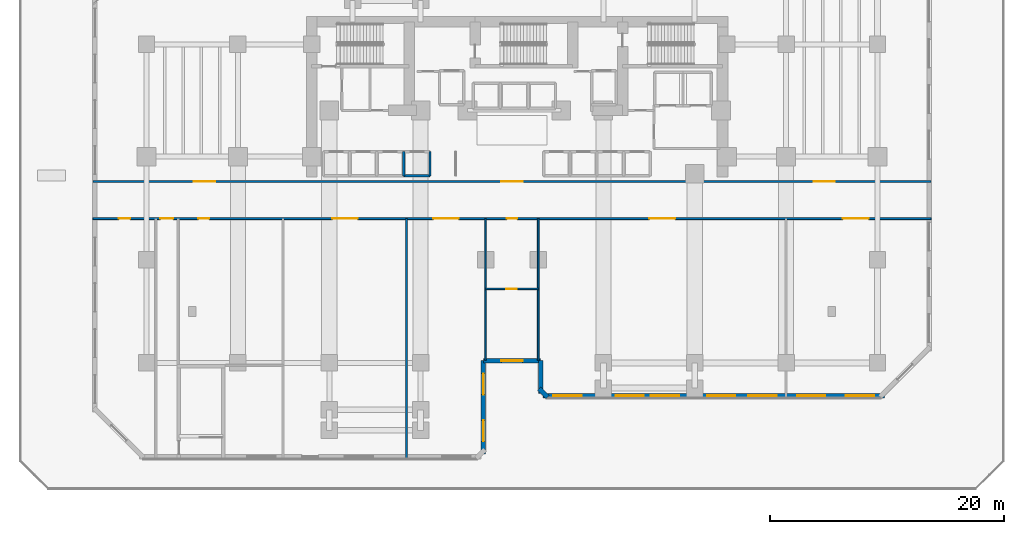
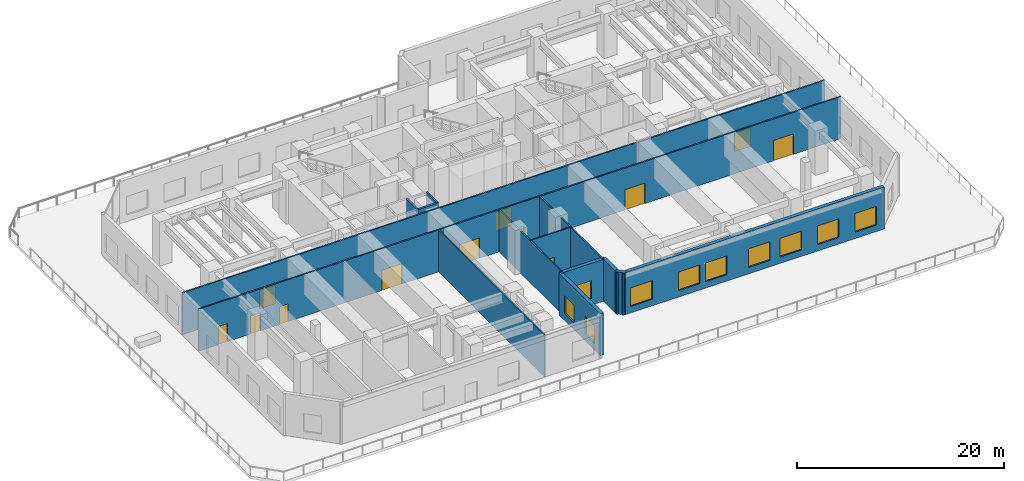
# One storey, part 5 of 13: 14 walls, 12 doors, 10 windows, 22 openings.
"""IFC4 building model written with IfcOpenShell, lengths in metres."""

from ifc_helpers import new_model, si_unit, direction, frame, frame_2d, origin, place, context, subcontext, project, spatial, rectangle, extrude, material, layer, layer_set, type_object, element, fill, save


model = new_model("IFC4")

# Units and contexts
model_context = context("Model", 3, precision=1e-05, world=origin(), true_north=direction((0.0, 1.0)))
body_context = subcontext(model_context, "Body", "Model", "MODEL_VIEW")
ifc_project = project(units=[si_unit("LENGTHUNIT", "METRE"), si_unit("AREAUNIT", "SQUARE_METRE"), si_unit("VOLUMEUNIT", "CUBIC_METRE"), si_unit("PLANEANGLEUNIT", "RADIAN"), si_unit("MASSUNIT", "GRAM", prefix="KILO")], contexts=[model_context])

# Site, building, storey
site_placement = place(None, origin())
site = spatial("IfcSite", under=ifc_project, at=site_placement, CompositionType="ELEMENT")
building_placement = place(site_placement, origin())
building = spatial("IfcBuilding", under=site, at=building_placement, Name="Kestravale Grand Hotel", CompositionType="ELEMENT")
storey_placement = place(building_placement, frame((0.0, 0.0, 20.800048828125)))
storey = spatial("IfcBuildingStorey", under=building, at=storey_placement, Name="L04", CompositionType="ELEMENT", Elevation=20.800048828125)

# Wall, openings, windows
ifc_material_1 = material(Name="Precast concrete f'c 45 MPa", Category="concrete")
ifc_layer_1 = layer(ifc_material_1, 0.3798828125)
ifc_layer_set_1 = layer_set([ifc_layer_1], Name="EW-POD-380")
wall_type_1 = type_object("IfcWallType", Name="EW-POD-380", PredefinedType="SOLIDWALL", material=ifc_layer_set_1)
wall_1_placement = place(storey_placement, frame((36.56005859375, 3.409912109375, 0.0), z_axis=(0.0, 0.0, 1.0), x_axis=(0.0, 1.0, 0.0)))
wall_1 = element("IfcWall", 1, at=wall_1_placement, inside=storey, type_object=wall_type_1, Name="L04 fluted precast facade wall 3", PredefinedType="SOLIDWALL", context=body_context, shape_type="SweptSolid", body=[
    extrude(rectangle(XDim=7.97998046875, YDim=0.3798828125, at=frame_2d((3.989990234375, 0.0))), origin(), (0.0, 0.0, 1.0), 4.93994140625),
])
opening_1_placement = place(wall_1_placement, frame((1.094970703125, 0.0, 0.800048828125)))
opening_1 = element("IfcOpeningElement", 2, at=opening_1_placement, cuts=wall_1, Name="Opening W-POD-1800", PredefinedType="OPENING", context=body_context, shape_type="SweptSolid", body=[
    extrude(rectangle(XDim=1.800048828125, YDim=2.10009765625, at=frame_2d((0.89990234375, 1.050048828125))), frame((0.0, 0.199951171875, 0.0), z_axis=(0.0, -1.0, 0.0), x_axis=(1.0, 0.0, 0.0)), (0.0, 0.0, 1.0), 0.39990234375),
])
opening_2_placement = place(wall_1_placement, frame((5.0849609375, 0.0, 0.800048828125)))
opening_2 = element("IfcOpeningElement", 3, at=opening_2_placement, cuts=wall_1, Name="Opening W-POD-1800", PredefinedType="OPENING", context=body_context, shape_type="SweptSolid", body=[
    extrude(rectangle(XDim=1.800048828125, YDim=2.10009765625, at=frame_2d((0.89990234375, 1.050048828125))), frame((0.0, 0.199951171875, 0.0), z_axis=(0.0, -1.0, 0.0), x_axis=(1.0, 0.0, 0.0)), (0.0, 0.0, 1.0), 0.39990234375),
])
ifc_material_2 = material(Name="Insulated low-E double glazing in aluminium frame", Category="aluminium")
window_type_1 = type_object("IfcWindowType", Name="W-POD-1800", PartitioningType="DOUBLE_PANEL_VERTICAL", PredefinedType="WINDOW", material=ifc_material_2)
window_1_placement = place(opening_1_placement, origin())
window_1 = element("IfcWindow", 4, at=window_1_placement, inside=storey, type_object=window_type_1, Name="L04 exterior window 3.1", OverallHeight=2.10009765625, OverallWidth=1.800048828125, PartitioningType="SINGLE_PANEL", PredefinedType="WINDOW", context=body_context, shape_type="SweptSolid", body=[
    extrude(rectangle(XDim=1.800048828125, YDim=2.10009765625, at=frame_2d((0.89990234375, 1.050048828125))), frame((0.0, 0.030029296875, 0.0), z_axis=(0.0, -1.0, 0.0), x_axis=(1.0, 0.0, 0.0)), (0.0, 0.0, 1.0), 0.06005859375),
])
fill(opening_1, window_1)
window_2_placement = place(opening_2_placement, origin())
window_2 = element("IfcWindow", 5, at=window_2_placement, inside=storey, type_object=window_type_1, Name="L04 exterior window 3.2", OverallHeight=2.10009765625, OverallWidth=1.800048828125, PartitioningType="SINGLE_PANEL", PredefinedType="WINDOW", context=body_context, shape_type="SweptSolid", body=[
    extrude(rectangle(XDim=1.800048828125, YDim=2.10009765625, at=frame_2d((0.89990234375, 1.050048828125))), frame((0.0, 0.030029296875, 0.0), z_axis=(0.0, -1.0, 0.0), x_axis=(1.0, 0.0, 0.0)), (0.0, 0.0, 1.0), 0.06005859375),
])
fill(opening_2, window_2)

# Wall, opening, window
wall_2_placement = place(storey_placement, frame((36.56005859375, 11.389892578125, 0.0), z_axis=(0.0, 0.0, 1.0), x_axis=(1.0, 0.0, 0.0)))
wall_2 = element("IfcWall", 6, at=wall_2_placement, inside=storey, type_object=wall_type_1, Name="L04 fluted precast facade wall 4", PredefinedType="SOLIDWALL", context=body_context, shape_type="SweptSolid", body=[
    extrude(rectangle(XDim=4.8798828125, YDim=0.3798828125, at=frame_2d((2.43994140625, 0.0))), origin(), (0.0, 0.0, 1.0), 4.93994140625),
])
opening_3_placement = place(wall_2_placement, frame((1.5400390625, 0.0, 0.800048828125)))
opening_3 = element("IfcOpeningElement", 7, at=opening_3_placement, cuts=wall_2, Name="Opening W-POD-1800", PredefinedType="OPENING", context=body_context, shape_type="SweptSolid", body=[
    extrude(rectangle(XDim=1.800048828125, YDim=2.10009765625, at=frame_2d((0.89990234375, 1.050048828125))), frame((0.0, 0.199951171875, 0.0), z_axis=(0.0, -1.0, 0.0), x_axis=(1.0, 0.0, 0.0)), (0.0, 0.0, 1.0), 0.39990234375),
])
window_3_placement = place(opening_3_placement, origin())
window_3 = element("IfcWindow", 8, at=window_3_placement, inside=storey, type_object=window_type_1, Name="L04 exterior window 4.1", OverallHeight=2.10009765625, OverallWidth=1.800048828125, PartitioningType="SINGLE_PANEL", PredefinedType="WINDOW", context=body_context, shape_type="SweptSolid", body=[
    extrude(rectangle(XDim=1.800048828125, YDim=2.10009765625, at=frame_2d((0.89990234375, 1.050048828125))), frame((0.0, 0.030029296875, 0.0), z_axis=(0.0, -1.0, 0.0), x_axis=(1.0, 0.0, 0.0)), (0.0, 0.0, 1.0), 0.06005859375),
])
fill(opening_3, window_3)

# Walls
wall_3_placement = place(storey_placement, frame((41.43994140625, 11.389892578125, 0.0), z_axis=(0.0, 0.0, 1.0), x_axis=(0.0, -1.0, 0.0)))
element("IfcWall", 9, at=wall_3_placement, inside=storey, type_object=wall_type_1, Name="L04 fluted precast facade wall 5", PredefinedType="SOLIDWALL", context=body_context, shape_type="SweptSolid", body=[
    extrude(rectangle(XDim=2.77978515625, YDim=0.3798828125, at=frame_2d((1.389892578125, 0.0))), origin(), (0.0, 0.0, 1.0), 4.93994140625),
])
wall_4_placement = place(storey_placement, frame((41.32421875, 8.994384765625, 0.0), z_axis=(0.0, 0.0, 1.0), x_axis=(0.707106781187, -0.707106781187, 0.0)))
element("IfcWall", 10, at=wall_4_placement, inside=storey, type_object=wall_type_1, Name="L04 fluted precast facade wall 6", PredefinedType="SOLIDWALL", context=body_context, shape_type="SweptSolid", body=[
    extrude(rectangle(XDim=1.0185546875, YDim=0.3798828125, at=frame_2d((0.50927734375, 0.0))), origin(), (0.0, 0.0, 1.0), 4.93994140625),
])

# Wall, openings, windows
wall_5_placement = place(storey_placement, frame((41.659912109375, 8.389892578125, 0.0), z_axis=(0.0, 0.0, 1.0), x_axis=(1.0, 0.0, 0.0)))
wall_5 = element("IfcWall", 11, at=wall_5_placement, inside=storey, type_object=wall_type_1, Name="L04 fluted precast facade wall 7", PredefinedType="SOLIDWALL", context=body_context, shape_type="SweptSolid", body=[
    extrude(rectangle(XDim=29.130126953125, YDim=0.3798828125, at=frame_2d((14.56494140625, 0.0))), origin(), (0.0, 0.0, 1.0), 4.93994140625),
])
opening_4_placement = place(wall_5_placement, frame((0.880615234375, 0.0, 0.75)))
opening_4 = element("IfcOpeningElement", 12, at=opening_4_placement, cuts=wall_5, Name="Opening W-POD-2400", PredefinedType="OPENING", context=body_context, shape_type="SweptSolid", body=[
    extrude(rectangle(XDim=2.39990234375, YDim=2.199951171875, at=frame_2d((1.199951171875, 1.10009765625))), frame((0.0, 0.199951171875, 0.0), z_axis=(0.0, -1.0, 0.0), x_axis=(1.0, 0.0, 0.0)), (0.0, 0.0, 1.0), 0.39990234375),
])
opening_5_placement = place(wall_5_placement, frame((6.192138671875, 0.0, 0.75)))
opening_5 = element("IfcOpeningElement", 13, at=opening_5_placement, cuts=wall_5, Name="Opening W-POD-2400", PredefinedType="OPENING", context=body_context, shape_type="SweptSolid", body=[
    extrude(rectangle(XDim=2.39990234375, YDim=2.199951171875, at=frame_2d((1.199951171875, 1.10009765625))), frame((0.0, 0.199951171875, 0.0), z_axis=(0.0, -1.0, 0.0), x_axis=(1.0, 0.0, 0.0)), (0.0, 0.0, 1.0), 0.39990234375),
])
opening_6_placement = place(wall_5_placement, frame((9.20361328125, 0.0, 0.75)))
opening_6 = element("IfcOpeningElement", 14, at=opening_6_placement, cuts=wall_5, Name="Opening W-POD-2400", PredefinedType="OPENING", context=body_context, shape_type="SweptSolid", body=[
    extrude(rectangle(XDim=2.39990234375, YDim=2.199951171875, at=frame_2d((1.199951171875, 1.10009765625))), frame((0.0, 0.199951171875, 0.0), z_axis=(0.0, -1.0, 0.0), x_axis=(1.0, 0.0, 0.0)), (0.0, 0.0, 1.0), 0.39990234375),
])
opening_7_placement = place(wall_5_placement, frame((14.014892578125, 0.0, 0.75)))
opening_7 = element("IfcOpeningElement", 15, at=opening_7_placement, cuts=wall_5, Name="Opening W-POD-2400", PredefinedType="OPENING", context=body_context, shape_type="SweptSolid", body=[
    extrude(rectangle(XDim=2.39990234375, YDim=2.199951171875, at=frame_2d((1.199951171875, 1.10009765625))), frame((0.0, 0.199951171875, 0.0), z_axis=(0.0, -1.0, 0.0), x_axis=(1.0, 0.0, 0.0)), (0.0, 0.0, 1.0), 0.39990234375),
])
opening_8_placement = place(wall_5_placement, frame((17.5263671875, 0.0, 0.75)))
opening_8 = element("IfcOpeningElement", 16, at=opening_8_placement, cuts=wall_5, Name="Opening W-POD-2400", PredefinedType="OPENING", context=body_context, shape_type="SweptSolid", body=[
    extrude(rectangle(XDim=2.39990234375, YDim=2.199951171875, at=frame_2d((1.199951171875, 1.10009765625))), frame((0.0, 0.199951171875, 0.0), z_axis=(0.0, -1.0, 0.0), x_axis=(1.0, 0.0, 0.0)), (0.0, 0.0, 1.0), 0.39990234375),
])
opening_9_placement = place(wall_5_placement, frame((21.68798828125, 0.0, 0.75)))
opening_9 = element("IfcOpeningElement", 17, at=opening_9_placement, cuts=wall_5, Name="Opening W-POD-2400", PredefinedType="OPENING", context=body_context, shape_type="SweptSolid", body=[
    extrude(rectangle(XDim=2.39990234375, YDim=2.199951171875, at=frame_2d((1.199951171875, 1.10009765625))), frame((0.0, 0.199951171875, 0.0), z_axis=(0.0, -1.0, 0.0), x_axis=(1.0, 0.0, 0.0)), (0.0, 0.0, 1.0), 0.39990234375),
])
opening_10_placement = place(wall_5_placement, frame((25.849365234375, 0.0, 0.75)))
opening_10 = element("IfcOpeningElement", 18, at=opening_10_placement, cuts=wall_5, Name="Opening W-POD-2400", PredefinedType="OPENING", context=body_context, shape_type="SweptSolid", body=[
    extrude(rectangle(XDim=2.39990234375, YDim=2.199951171875, at=frame_2d((1.199951171875, 1.10009765625))), frame((0.0, 0.199951171875, 0.0), z_axis=(0.0, -1.0, 0.0), x_axis=(1.0, 0.0, 0.0)), (0.0, 0.0, 1.0), 0.39990234375),
])
ifc_material_3 = material(Name="Insulated low-E double glazing in aluminium frame", Category="aluminium")
window_type_2 = type_object("IfcWindowType", Name="W-POD-2400", PartitioningType="DOUBLE_PANEL_VERTICAL", PredefinedType="WINDOW", material=ifc_material_3)
window_4_placement = place(opening_4_placement, origin())
window_4 = element("IfcWindow", 19, at=window_4_placement, inside=storey, type_object=window_type_2, Name="L04 exterior window 7.1", OverallHeight=2.199951171875, OverallWidth=2.39990234375, PartitioningType="SINGLE_PANEL", PredefinedType="WINDOW", context=body_context, shape_type="SweptSolid", body=[
    extrude(rectangle(XDim=2.39990234375, YDim=2.199951171875, at=frame_2d((1.199951171875, 1.10009765625))), frame((0.0, 0.030029296875, 0.0), z_axis=(0.0, -1.0, 0.0), x_axis=(1.0, 0.0, 0.0)), (0.0, 0.0, 1.0), 0.06005859375),
])
fill(opening_4, window_4)
window_5_placement = place(opening_5_placement, origin())
window_5 = element("IfcWindow", 20, at=window_5_placement, inside=storey, type_object=window_type_2, Name="L04 exterior window 7.2", OverallHeight=2.199951171875, OverallWidth=2.39990234375, PartitioningType="SINGLE_PANEL", PredefinedType="WINDOW", context=body_context, shape_type="SweptSolid", body=[
    extrude(rectangle(XDim=2.39990234375, YDim=2.199951171875, at=frame_2d((1.199951171875, 1.10009765625))), frame((0.0, 0.030029296875, 0.0), z_axis=(0.0, -1.0, 0.0), x_axis=(1.0, 0.0, 0.0)), (0.0, 0.0, 1.0), 0.06005859375),
])
fill(opening_5, window_5)
window_6_placement = place(opening_6_placement, origin())
window_6 = element("IfcWindow", 21, at=window_6_placement, inside=storey, type_object=window_type_2, Name="L04 exterior window 7.3", OverallHeight=2.199951171875, OverallWidth=2.39990234375, PartitioningType="SINGLE_PANEL", PredefinedType="WINDOW", context=body_context, shape_type="SweptSolid", body=[
    extrude(rectangle(XDim=2.39990234375, YDim=2.199951171875, at=frame_2d((1.199951171875, 1.10009765625))), frame((0.0, 0.030029296875, 0.0), z_axis=(0.0, -1.0, 0.0), x_axis=(1.0, 0.0, 0.0)), (0.0, 0.0, 1.0), 0.06005859375),
])
fill(opening_6, window_6)
window_7_placement = place(opening_7_placement, origin())
window_7 = element("IfcWindow", 22, at=window_7_placement, inside=storey, type_object=window_type_2, Name="L04 exterior window 7.4", OverallHeight=2.199951171875, OverallWidth=2.39990234375, PartitioningType="SINGLE_PANEL", PredefinedType="WINDOW", context=body_context, shape_type="SweptSolid", body=[
    extrude(rectangle(XDim=2.39990234375, YDim=2.199951171875, at=frame_2d((1.199951171875, 1.10009765625))), frame((0.0, 0.030029296875, 0.0), z_axis=(0.0, -1.0, 0.0), x_axis=(1.0, 0.0, 0.0)), (0.0, 0.0, 1.0), 0.06005859375),
])
fill(opening_7, window_7)
window_8_placement = place(opening_8_placement, origin())
window_8 = element("IfcWindow", 23, at=window_8_placement, inside=storey, type_object=window_type_2, Name="L04 exterior window 7.5", OverallHeight=2.199951171875, OverallWidth=2.39990234375, PartitioningType="SINGLE_PANEL", PredefinedType="WINDOW", context=body_context, shape_type="SweptSolid", body=[
    extrude(rectangle(XDim=2.39990234375, YDim=2.199951171875, at=frame_2d((1.199951171875, 1.10009765625))), frame((0.0, 0.030029296875, 0.0), z_axis=(0.0, -1.0, 0.0), x_axis=(1.0, 0.0, 0.0)), (0.0, 0.0, 1.0), 0.06005859375),
])
fill(opening_8, window_8)
window_9_placement = place(opening_9_placement, origin())
window_9 = element("IfcWindow", 24, at=window_9_placement, inside=storey, type_object=window_type_2, Name="L04 exterior window 7.6", OverallHeight=2.199951171875, OverallWidth=2.39990234375, PartitioningType="SINGLE_PANEL", PredefinedType="WINDOW", context=body_context, shape_type="SweptSolid", body=[
    extrude(rectangle(XDim=2.39990234375, YDim=2.199951171875, at=frame_2d((1.199951171875, 1.10009765625))), frame((0.0, 0.030029296875, 0.0), z_axis=(0.0, -1.0, 0.0), x_axis=(1.0, 0.0, 0.0)), (0.0, 0.0, 1.0), 0.06005859375),
])
fill(opening_9, window_9)
window_10_placement = place(opening_10_placement, origin())
window_10 = element("IfcWindow", 25, at=window_10_placement, inside=storey, type_object=window_type_2, Name="L04 exterior window 7.7", OverallHeight=2.199951171875, OverallWidth=2.39990234375, PartitioningType="SINGLE_PANEL", PredefinedType="WINDOW", context=body_context, shape_type="SweptSolid", body=[
    extrude(rectangle(XDim=2.39990234375, YDim=2.199951171875, at=frame_2d((1.199951171875, 1.10009765625))), frame((0.0, 0.030029296875, 0.0), z_axis=(0.0, -1.0, 0.0), x_axis=(1.0, 0.0, 0.0)), (0.0, 0.0, 1.0), 0.06005859375),
])
fill(opening_10, window_10)

# Wall, openings, doors
ifc_material_4 = material(Name="Acoustic fire-rated gypsum board partition", Category="other")
ifc_layer_2 = layer(ifc_material_4, 0.159912109375)
ifc_layer_set_2 = layer_set([ifc_layer_2], Name="IW-CORR-160")
wall_type_2 = type_object("IfcWallType", Name="IW-CORR-160", PredefinedType="PARTITIONING", material=ifc_layer_set_2)
wall_6_placement = place(storey_placement, frame((3.219970703125, 23.52001953125, 0.0), z_axis=(0.0, 0.0, 1.0), x_axis=(1.0, 0.0, 0.0)))
wall_6 = element("IfcWall", 26, at=wall_6_placement, inside=storey, type_object=wall_type_2, Name="W-L04-MC-S", PredefinedType="PARTITIONING", context=body_context, shape_type="SweptSolid", body=[
    extrude(rectangle(XDim=71.56005859375, YDim=0.159912109375, at=frame_2d((35.780029296875, 0.0))), origin(), (0.0, 0.0, 1.0), 4.93994140625),
])
opening_11_placement = place(wall_6_placement, frame((2.18994140625, 0.0, 0.0)))
opening_11 = element("IfcOpeningElement", 27, at=opening_11_placement, cuts=wall_6, Name="Opening D-GUEST-1000", PredefinedType="OPENING", context=body_context, shape_type="SweptSolid", body=[
    extrude(rectangle(XDim=1.0, YDim=2.14990234375, at=frame_2d((0.5, 1.074951171875))), frame((0.0, 0.08984375, 0.0), z_axis=(0.0, -1.0, 0.0), x_axis=(1.0, 0.0, 0.0)), (0.0, 0.0, 1.0), 0.179931640625),
])
opening_12_placement = place(wall_6_placement, frame((5.760009765625, 0.0, 0.0)))
opening_12 = element("IfcOpeningElement", 28, at=opening_12_placement, cuts=wall_6, Name="Opening D-CORR-1100", PredefinedType="OPENING", context=body_context, shape_type="SweptSolid", body=[
    extrude(rectangle(XDim=1.10009765625, YDim=2.14990234375, at=frame_2d((0.550048828125, 1.074951171875))), frame((0.0, 0.08984375, 0.0), z_axis=(0.0, -1.0, 0.0), x_axis=(1.0, 0.0, 0.0)), (0.0, 0.0, 1.0), 0.179931640625),
])
opening_13_placement = place(wall_6_placement, frame((9.0048828125, 0.0, 0.0)))
opening_13 = element("IfcOpeningElement", 29, at=opening_13_placement, cuts=wall_6, Name="Opening D-GUEST-950", PredefinedType="OPENING", context=body_context, shape_type="SweptSolid", body=[
    extrude(rectangle(XDim=0.949951171875, YDim=2.10009765625, at=frame_2d((0.47509765625, 1.050048828125))), frame((0.0, 0.08984375, 0.0), z_axis=(0.0, -1.0, 0.0), x_axis=(1.0, 0.0, 0.0)), (0.0, 0.0, 1.0), 0.179931640625),
])
opening_14_placement = place(wall_6_placement, frame((20.429931640625, 0.0, 0.0)))
opening_14 = element("IfcOpeningElement", 30, at=opening_14_placement, cuts=wall_6, Name="Opening D-BAL-2200", PredefinedType="OPENING", context=body_context, shape_type="SweptSolid", body=[
    extrude(rectangle(XDim=2.199951171875, YDim=2.39990234375, at=frame_2d((1.10009765625, 1.199951171875))), frame((0.0, 0.08984375, 0.0), z_axis=(0.0, -1.0, 0.0), x_axis=(1.0, 0.0, 0.0)), (0.0, 0.0, 1.0), 0.179931640625),
])
opening_15_placement = place(wall_6_placement, frame((29.054931640625, 0.0, 0.0)))
opening_15 = element("IfcOpeningElement", 31, at=opening_15_placement, cuts=wall_6, Name="Opening D-BAL-2200", PredefinedType="OPENING", context=body_context, shape_type="SweptSolid", body=[
    extrude(rectangle(XDim=2.199951171875, YDim=2.39990234375, at=frame_2d((1.10009765625, 1.199951171875))), frame((0.0, 0.08984375, 0.0), z_axis=(0.0, -1.0, 0.0), x_axis=(1.0, 0.0, 0.0)), (0.0, 0.0, 1.0), 0.179931640625),
])
opening_16_placement = place(wall_6_placement, frame((47.5048828125, 0.0, 0.0)))
opening_16 = element("IfcOpeningElement", 32, at=opening_16_placement, cuts=wall_6, Name="Opening D-BAL-2200", PredefinedType="OPENING", context=body_context, shape_type="SweptSolid", body=[
    extrude(rectangle(XDim=2.199951171875, YDim=2.39990234375, at=frame_2d((1.10009765625, 1.199951171875))), frame((0.0, 0.08984375, 0.0), z_axis=(0.0, -1.0, 0.0), x_axis=(1.0, 0.0, 0.0)), (0.0, 0.0, 1.0), 0.179931640625),
])
opening_17_placement = place(wall_6_placement, frame((64.030029296875, 0.0, 0.0)))
opening_17 = element("IfcOpeningElement", 33, at=opening_17_placement, cuts=wall_6, Name="Opening D-BAL-2200", PredefinedType="OPENING", context=body_context, shape_type="SweptSolid", body=[
    extrude(rectangle(XDim=2.199951171875, YDim=2.39990234375, at=frame_2d((1.10009765625, 1.199951171875))), frame((0.0, 0.08984375, 0.0), z_axis=(0.0, -1.0, 0.0), x_axis=(1.0, 0.0, 0.0)), (0.0, 0.0, 1.0), 0.179931640625),
])
opening_18_placement = place(wall_6_placement, frame((35.340087890625, 0.0, 0.0)))
opening_18 = element("IfcOpeningElement", 34, at=opening_18_placement, cuts=wall_6, Name="Opening D-BATH-880", PredefinedType="OPENING", context=body_context, shape_type="SweptSolid", body=[
    extrude(rectangle(XDim=0.8798828125, YDim=2.050048828125, at=frame_2d((0.43994140625, 1.02490234375))), frame((0.0, 0.08984375, 0.0), z_axis=(0.0, -1.0, 0.0), x_axis=(1.0, 0.0, 0.0)), (0.0, 0.0, 1.0), 0.179931640625),
])
ifc_material_5 = material(Name="Monumental walnut and bronze ballroom double fire door", Category="wood")
door_type_1 = type_object("IfcDoorType", Name="D-BAL-2200", OperationType="NOTDEFINED", PredefinedType="DOOR", material=ifc_material_5)
door_1_placement = place(opening_14_placement, origin())
door_1 = element("IfcDoor", 35, at=door_1_placement, inside=storey, type_object=door_type_1, Name="D-L04-SPA", OperationType="DOUBLE_DOOR_SINGLE_SWING", OverallHeight=2.39990234375, OverallWidth=2.199951171875, PredefinedType="DOOR", context=body_context, shape_type="SweptSolid", body=[
    extrude(rectangle(XDim=2.199951171875, YDim=2.39990234375, at=frame_2d((1.10009765625, 1.199951171875))), frame((0.0, 0.02490234375, 0.0), z_axis=(0.0, -1.0, 0.0), x_axis=(1.0, 0.0, 0.0)), (0.0, 0.0, 1.0), 0.050048828125),
])
fill(opening_14, door_1)
door_2_placement = place(opening_15_placement, origin())
door_2 = element("IfcDoor", 36, at=door_2_placement, inside=storey, type_object=door_type_1, Name="D-L04-FIT", OperationType="DOUBLE_DOOR_SINGLE_SWING", OverallHeight=2.39990234375, OverallWidth=2.199951171875, PredefinedType="DOOR", context=body_context, shape_type="SweptSolid", body=[
    extrude(rectangle(XDim=2.199951171875, YDim=2.39990234375, at=frame_2d((1.10009765625, 1.199951171875))), frame((0.0, 0.02490234375, 0.0), z_axis=(0.0, -1.0, 0.0), x_axis=(1.0, 0.0, 0.0)), (0.0, 0.0, 1.0), 0.050048828125),
])
fill(opening_15, door_2)
door_3_placement = place(opening_16_placement, origin())
door_3 = element("IfcDoor", 37, at=door_3_placement, inside=storey, type_object=door_type_1, Name="D-L04-GCAFE", OperationType="DOUBLE_DOOR_SINGLE_SWING", OverallHeight=2.39990234375, OverallWidth=2.199951171875, PredefinedType="DOOR", context=body_context, shape_type="SweptSolid", body=[
    extrude(rectangle(XDim=2.199951171875, YDim=2.39990234375, at=frame_2d((1.10009765625, 1.199951171875))), frame((0.0, 0.02490234375, 0.0), z_axis=(0.0, -1.0, 0.0), x_axis=(1.0, 0.0, 0.0)), (0.0, 0.0, 1.0), 0.050048828125),
])
fill(opening_16, door_3)
door_4_placement = place(opening_17_placement, origin())
door_4 = element("IfcDoor", 38, at=door_4_placement, inside=storey, type_object=door_type_1, Name="D-L04-YOGA", OperationType="DOUBLE_DOOR_SINGLE_SWING", OverallHeight=2.39990234375, OverallWidth=2.199951171875, PredefinedType="DOOR", context=body_context, shape_type="SweptSolid", body=[
    extrude(rectangle(XDim=2.199951171875, YDim=2.39990234375, at=frame_2d((1.10009765625, 1.199951171875))), frame((0.0, 0.02490234375, 0.0), z_axis=(0.0, -1.0, 0.0), x_axis=(1.0, 0.0, 0.0)), (0.0, 0.0, 1.0), 0.050048828125),
])
fill(opening_17, door_4)
ifc_material_6 = material(Name="Moisture-sealed walnut en-suite bathroom door", Category="wood")
door_type_2 = type_object("IfcDoorType", Name="D-BATH-880", OperationType="NOTDEFINED", PredefinedType="DOOR", material=ifc_material_6)
door_5_placement = place(opening_18_placement, origin())
door_5 = element("IfcDoor", 39, at=door_5_placement, inside=storey, type_object=door_type_2, Name="D-L04-WCP", OperationType="SINGLE_SWING_RIGHT", OverallHeight=2.050048828125, OverallWidth=0.8798828125, PredefinedType="DOOR", context=body_context, shape_type="SweptSolid", body=[
    extrude(rectangle(XDim=0.8798828125, YDim=2.050048828125, at=frame_2d((0.43994140625, 1.02490234375))), frame((0.0, 0.02490234375, 0.0), z_axis=(0.0, -1.0, 0.0), x_axis=(1.0, 0.0, 0.0)), (0.0, 0.0, 1.0), 0.050048828125),
])
fill(opening_18, door_5)
ifc_material_7 = material(Name="Single-leaf service vestibule fire door", Category="steel")
door_type_3 = type_object("IfcDoorType", Name="D-CORR-1100", OperationType="NOTDEFINED", PredefinedType="DOOR", material=ifc_material_7)
door_6_placement = place(opening_12_placement, origin())
door_6 = element("IfcDoor", 40, at=door_6_placement, inside=storey, type_object=door_type_3, Name="L04 ST-4 Corridor Door", OperationType="SINGLE_SWING_RIGHT", OverallHeight=2.14990234375, OverallWidth=1.10009765625, PredefinedType="DOOR", context=body_context, shape_type="SweptSolid", body=[
    extrude(rectangle(XDim=1.10009765625, YDim=2.14990234375, at=frame_2d((0.550048828125, 1.074951171875))), frame((0.0, 0.02490234375, 0.0), z_axis=(0.0, -1.0, 0.0), x_axis=(1.0, 0.0, 0.0)), (0.0, 0.0, 1.0), 0.050048828125),
])
fill(opening_12, door_6)
ifc_material_8 = material(Name="Accessible walnut veneer hotel entrance fire door", Category="wood")
door_type_4 = type_object("IfcDoorType", Name="D-GUEST-1000", OperationType="NOTDEFINED", PredefinedType="DOOR", material=ifc_material_8)
door_7_placement = place(opening_11_placement, origin())
door_7 = element("IfcDoor", 41, at=door_7_placement, inside=storey, type_object=door_type_4, Name="D-L04-WSAL", OperationType="SINGLE_SWING_RIGHT", OverallHeight=2.14990234375, OverallWidth=1.0, PredefinedType="DOOR", context=body_context, shape_type="SweptSolid", body=[
    extrude(rectangle(XDim=1.0, YDim=2.14990234375, at=frame_2d((0.5, 1.074951171875))), frame((0.0, 0.02490234375, 0.0), z_axis=(0.0, -1.0, 0.0), x_axis=(1.0, 0.0, 0.0)), (0.0, 0.0, 1.0), 0.050048828125),
])
fill(opening_11, door_7)
ifc_material_9 = material(Name="Walnut veneer hotel guestroom entrance fire door", Category="wood")
door_type_5 = type_object("IfcDoorType", Name="D-GUEST-950", OperationType="NOTDEFINED", PredefinedType="DOOR", material=ifc_material_9)
door_8_placement = place(opening_13_placement, origin())
door_8 = element("IfcDoor", 42, at=door_8_placement, inside=storey, type_object=door_type_5, Name="D-L04-MTGW", OperationType="SINGLE_SWING_LEFT", OverallHeight=2.10009765625, OverallWidth=0.949951171875, PredefinedType="DOOR", context=body_context, shape_type="SweptSolid", body=[
    extrude(rectangle(XDim=0.949951171875, YDim=2.10009765625, at=frame_2d((0.47509765625, 1.050048828125))), frame((0.0, 0.02490234375, 0.0), z_axis=(0.0, -1.0, 0.0), x_axis=(1.0, 0.0, 0.0)), (0.0, 0.0, 1.0), 0.050048828125),
])
fill(opening_13, door_8)

wall_7_placement = place(storey_placement, frame((3.219970703125, 26.679931640625, 0.0), z_axis=(0.0, 0.0, 1.0), x_axis=(1.0, 0.0, 0.0)))
wall_7 = element("IfcWall", 43, at=wall_7_placement, inside=storey, type_object=wall_type_2, Name="W-L04-MC-N", PredefinedType="PARTITIONING", context=body_context, shape_type="SweptSolid", body=[
    extrude(rectangle(XDim=71.56005859375, YDim=0.159912109375, at=frame_2d((35.780029296875, 0.0))), origin(), (0.0, 0.0, 1.0), 4.93994140625),
])
opening_19_placement = place(wall_7_placement, frame((34.8798828125, 0.0, 0.0)))
opening_19 = element("IfcOpeningElement", 44, at=opening_19_placement, cuts=wall_7, Name="Opening D-CORR-1800", PredefinedType="OPENING", context=body_context, shape_type="SweptSolid", body=[
    extrude(rectangle(XDim=1.800048828125, YDim=2.199951171875, at=frame_2d((0.89990234375, 1.10009765625))), frame((0.0, 0.08984375, 0.0), z_axis=(0.0, -1.0, 0.0), x_axis=(1.0, 0.0, 0.0)), (0.0, 0.0, 1.0), 0.179931640625),
])
opening_20_placement = place(wall_7_placement, frame((8.6298828125, 0.0, 0.0)))
opening_20 = element("IfcOpeningElement", 45, at=opening_20_placement, cuts=wall_7, Name="Opening D-CORR-1800", PredefinedType="OPENING", context=body_context, shape_type="SweptSolid", body=[
    extrude(rectangle(XDim=1.800048828125, YDim=2.199951171875, at=frame_2d((0.89990234375, 1.10009765625))), frame((0.0, 0.08984375, 0.0), z_axis=(0.0, -1.0, 0.0), x_axis=(1.0, 0.0, 0.0)), (0.0, 0.0, 1.0), 0.179931640625),
])
opening_21_placement = place(wall_7_placement, frame((61.530029296875, 0.0, 0.0)))
opening_21 = element("IfcOpeningElement", 46, at=opening_21_placement, cuts=wall_7, Name="Opening D-CORR-1800", PredefinedType="OPENING", context=body_context, shape_type="SweptSolid", body=[
    extrude(rectangle(XDim=1.800048828125, YDim=2.199951171875, at=frame_2d((0.89990234375, 1.10009765625))), frame((0.0, 0.08984375, 0.0), z_axis=(0.0, -1.0, 0.0), x_axis=(1.0, 0.0, 0.0)), (0.0, 0.0, 1.0), 0.179931640625),
])
ifc_material_10 = material(Name="Double-leaf glazed bronze acoustic corridor fire door", Category="aluminium")
door_type_6 = type_object("IfcDoorType", Name="D-CORR-1800", OperationType="NOTDEFINED", PredefinedType="DOOR", material=ifc_material_10)
door_9_placement = place(opening_19_placement, origin())
door_9 = element("IfcDoor", 47, at=door_9_placement, inside=storey, type_object=door_type_6, Name="D-L04-MC-LFT", OperationType="DOUBLE_DOOR_SINGLE_SWING", OverallHeight=2.199951171875, OverallWidth=1.800048828125, PredefinedType="DOOR", context=body_context, shape_type="SweptSolid", body=[
    extrude(rectangle(XDim=1.800048828125, YDim=2.199951171875, at=frame_2d((0.89990234375, 1.10009765625))), frame((0.0, 0.02490234375, 0.0), z_axis=(0.0, -1.0, 0.0), x_axis=(1.0, 0.0, 0.0)), (0.0, 0.0, 1.0), 0.050048828125),
])
fill(opening_19, door_9)
door_10_placement = place(opening_20_placement, origin())
door_10 = element("IfcDoor", 48, at=door_10_placement, inside=storey, type_object=door_type_6, Name="D-L04-TREAT", OperationType="DOUBLE_DOOR_SINGLE_SWING", OverallHeight=2.199951171875, OverallWidth=1.800048828125, PredefinedType="DOOR", context=body_context, shape_type="SweptSolid", body=[
    extrude(rectangle(XDim=1.800048828125, YDim=2.199951171875, at=frame_2d((0.89990234375, 1.10009765625))), frame((0.0, 0.02490234375, 0.0), z_axis=(0.0, -1.0, 0.0), x_axis=(1.0, 0.0, 0.0)), (0.0, 0.0, 1.0), 0.050048828125),
])
fill(opening_20, door_10)
door_11_placement = place(opening_21_placement, origin())
door_11 = element("IfcDoor", 49, at=door_11_placement, inside=storey, type_object=door_type_6, Name="D-L04-LOCK", OperationType="DOUBLE_DOOR_SINGLE_SWING", OverallHeight=2.199951171875, OverallWidth=1.800048828125, PredefinedType="DOOR", context=body_context, shape_type="SweptSolid", body=[
    extrude(rectangle(XDim=1.800048828125, YDim=2.199951171875, at=frame_2d((0.89990234375, 1.10009765625))), frame((0.0, 0.02490234375, 0.0), z_axis=(0.0, -1.0, 0.0), x_axis=(1.0, 0.0, 0.0)), (0.0, 0.0, 1.0), 0.050048828125),
])
fill(opening_21, door_11)

# Wall
ifc_material_11 = material(Name="Moisture-resistant tile-backer plumbing chase wall", Category="other")
ifc_layer_3 = layer(ifc_material_11, 0.139892578125)
ifc_layer_set_3 = layer_set([ifc_layer_3], Name="IW-PLB-140")
wall_type_3 = type_object("IfcWallType", Name="IW-PLB-140", PredefinedType="PLUMBINGWALL", material=ifc_layer_set_3)
wall_8_placement = place(storey_placement, frame((36.75, 11.409912109375, 0.0), z_axis=(0.0, 0.0, 1.0), x_axis=(0.0, 1.0, 0.0)))
element("IfcWall", 50, at=wall_8_placement, inside=storey, type_object=wall_type_3, Name="W-L04-WCW", PredefinedType="PLUMBINGWALL", context=body_context, shape_type="SweptSolid", body=[
    extrude(rectangle(XDim=12.110107421875, YDim=0.139892578125, at=frame_2d((6.05517578125, 0.0))), origin(), (0.0, 0.0, 1.0), 4.93994140625),
])

# Wall, opening, door
wall_9_placement = place(storey_placement, frame((36.75, 17.52001953125, 0.0), z_axis=(0.0, 0.0, 1.0), x_axis=(1.0, 0.0, 0.0)))
wall_9 = element("IfcWall", 51, at=wall_9_placement, inside=storey, type_object=wall_type_3, Name="W-L04-WCH", PredefinedType="PLUMBINGWALL", context=body_context, shape_type="SweptSolid", body=[
    extrude(rectangle(XDim=4.5, YDim=0.139892578125, at=frame_2d((2.25, 0.0))), origin(), (0.0, 0.0, 1.0), 4.93994140625),
])
opening_22_placement = place(wall_9_placement, frame((1.760009765625, 0.0, 0.0)))
opening_22 = element("IfcOpeningElement", 52, at=opening_22_placement, cuts=wall_9, Name="Opening D-BATH-880", PredefinedType="OPENING", context=body_context, shape_type="SweptSolid", body=[
    extrude(rectangle(XDim=0.8798828125, YDim=2.050048828125, at=frame_2d((0.43994140625, 1.02490234375))), frame((0.0, 0.079833984375, 0.0), z_axis=(0.0, -1.0, 0.0), x_axis=(1.0, 0.0, 0.0)), (0.0, 0.0, 1.0), 0.159912109375),
])
door_12_placement = place(opening_22_placement, origin())
door_12 = element("IfcDoor", 53, at=door_12_placement, inside=storey, type_object=door_type_2, Name="D-L04-WCA", OperationType="SINGLE_SWING_LEFT", OverallHeight=2.050048828125, OverallWidth=0.8798828125, PredefinedType="DOOR", context=body_context, shape_type="SweptSolid", body=[
    extrude(rectangle(XDim=0.8798828125, YDim=2.050048828125, at=frame_2d((0.43994140625, 1.02490234375))), frame((0.0, 0.02490234375, 0.0), z_axis=(0.0, -1.0, 0.0), x_axis=(1.0, 0.0, 0.0)), (0.0, 0.0, 1.0), 0.050048828125),
])
fill(opening_22, door_12)

# Walls
ifc_material_12 = material(Name="Concrete f'c 45 MPa", Category="concrete")
ifc_layer_4 = layer(ifc_material_12, 0.199951171875)
ifc_layer_set_4 = layer_set([ifc_layer_4], Name="IW-SHAFT-200")
wall_type_4 = type_object("IfcWallType", Name="IW-SHAFT-200", PredefinedType="SHEAR", material=ifc_layer_set_4)
for number, where, z_axis, x_axis, name in (
    (54, (29.75, 27.169921875, 0.0), (0.0, 0.0, 1.0), (0.0, 1.0, 0.0), "L04 PL-L4 west shaft wall"),
    (55, (31.9951171875, 27.169921875, 0.0), (0.0, 0.0, 1.0), (0.0, 1.0, 0.0), "L04 PL-L4 east shaft wall"),
):
    element("IfcWall", number, at=place(storey_placement, frame(where, z_axis=z_axis, x_axis=x_axis)), inside=storey, type_object=wall_type_4, Name=name, PredefinedType="SHEAR", context=body_context, shape_type="SweptSolid", body=[
        extrude(rectangle(XDim=2.06005859375, YDim=0.199951171875, at=frame_2d((1.030029296875, 0.0))), origin(), (0.0, 0.0, 1.0), 5.199951171875),
    ])
ifc_material_13 = material(Name="Concrete f'c 45 MPa", Category="concrete")
ifc_layer_5 = layer(ifc_material_13, 0.219970703125)
ifc_layer_set_5 = layer_set([ifc_layer_5], Name="IW-SHAFT-220")
wall_type_5 = type_object("IfcWallType", Name="IW-SHAFT-220", PredefinedType="SHEAR", material=ifc_layer_set_5)
wall_10_placement = place(storey_placement, frame((29.75, 27.169921875, 0.0), z_axis=(0.0, 0.0, 1.0), x_axis=(1.0, 0.0, 0.0)))
element("IfcWall", 56, at=wall_10_placement, inside=storey, type_object=wall_type_5, Name="L04 PL-L4 south shaft wall", PredefinedType="SHEAR", context=body_context, shape_type="SweptSolid", body=[
    extrude(rectangle(XDim=2.2451171875, YDim=0.219970703125, at=frame_2d((1.12255859375, 0.0))), origin(), (0.0, 0.0, 1.0), 5.199951171875),
])
ifc_material_14 = material(Name="Double-stud STC 52 acoustic demising partition", Category="other")
ifc_layer_6 = layer(ifc_material_14, 0.14990234375)
ifc_layer_set_6 = layer_set([ifc_layer_6], Name="IW-UNIT-150")
wall_type_6 = type_object("IfcWallType", Name="IW-UNIT-150", PredefinedType="PARTITIONING", material=ifc_layer_set_6)
wall_11_placement = place(storey_placement, frame((30.0, 3.02001953125, 0.0), z_axis=(0.0, 0.0, 1.0), x_axis=(0.0, 1.0, 0.0)))
element("IfcWall", 57, at=wall_11_placement, inside=storey, type_object=wall_type_6, Name="W-L04-SD-1", PredefinedType="PARTITIONING", context=body_context, shape_type="SweptSolid", body=[
    extrude(rectangle(XDim=20.5, YDim=0.14990234375, at=frame_2d((10.25, 0.0))), origin(), (0.0, 0.0, 1.0), 4.93994140625),
])
wall_12_placement = place(storey_placement, frame((41.25, 11.409912109375, 0.0), z_axis=(0.0, 0.0, 1.0), x_axis=(0.0, 1.0, 0.0)))
element("IfcWall", 58, at=wall_12_placement, inside=storey, type_object=wall_type_6, Name="W-L04-SD-2", PredefinedType="PARTITIONING", context=body_context, shape_type="SweptSolid", body=[
    extrude(rectangle(XDim=12.110107421875, YDim=0.14990234375, at=frame_2d((6.05517578125, 0.0))), origin(), (0.0, 0.0, 1.0), 4.93994140625),
])

save(model, "model.ifc")
